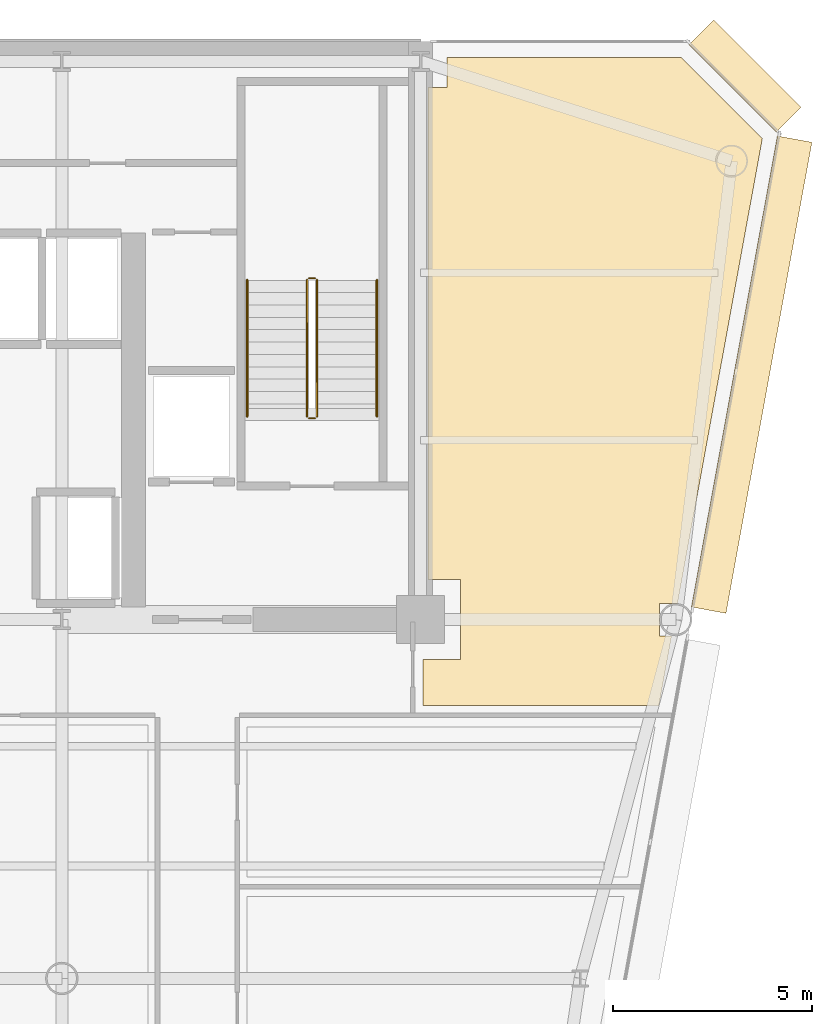
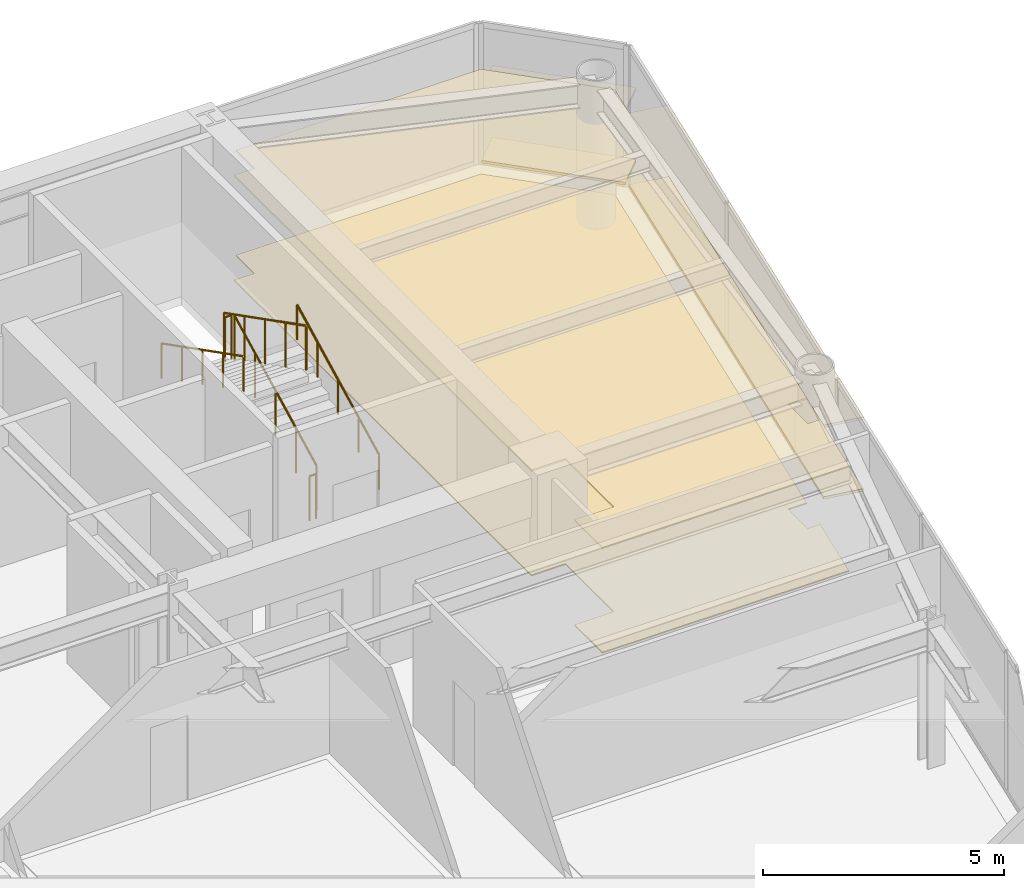
# One storey, part 17 of 17: 6 coverings, 6 railings.
"""IFC4 building model written with IfcOpenShell, lengths in metres."""

from ifc_helpers import new_model, si_unit, direction, frame, origin, origin_2d, place, context, subcontext, project, spatial, polyline, rectangle, circle, outline, extrude, source, transform, mapped, material, layer, layer_set, type_object, element, save


model = new_model("IFC4")

# Units and contexts
model_context = context("Model", 3, precision=1e-05, world=origin(), true_north=direction((0.0, 1.0)))
body_context = subcontext(model_context, "Body", "Model", "MODEL_VIEW")
ifc_project = project(units=[si_unit("LENGTHUNIT", "METRE"), si_unit("AREAUNIT", "SQUARE_METRE"), si_unit("VOLUMEUNIT", "CUBIC_METRE"), si_unit("PLANEANGLEUNIT", "RADIAN"), si_unit("MASSUNIT", "GRAM", prefix="KILO")], contexts=[model_context])

# Site, building, storey
site_placement = place(None, origin())
site = spatial("IfcSite", under=ifc_project, at=site_placement, CompositionType="ELEMENT")
building_placement = place(site_placement, origin())
building = spatial("IfcBuilding", under=site, at=building_placement, Name="Vaeldorn Concourse Tower", CompositionType="ELEMENT")
storey_placement = place(building_placement, frame((0.0, 0.0, 169.0)))
storey = spatial("IfcBuildingStorey", under=building, at=storey_placement, Name="L43", CompositionType="ELEMENT", Elevation=169.0)

# Coverings
ifc_material_1 = material(Name="Acoustic Mineral Fibre Board", Category="gypsum")
ifc_layer_1 = layer(ifc_material_1, 0.0400390625)
ifc_layer_set_1 = layer_set([ifc_layer_1], Name="Acoustic Mineral Fibre Board")
covering_type_1 = type_object("IfcCoveringType", Name="COV-CEIL-ACOUSTIC", PredefinedType="CEILING", material=ifc_layer_set_1)
covering_1_placement = place(storey_placement, frame((0.0, 0.0, 2.64990234375)))
element("IfcCovering", 1, at=covering_1_placement, inside=storey, type_object=covering_type_1, Name="Suspended Acoustic Ceiling L43-4", PredefinedType="CEILING", context=body_context, shape_type="SweptSolid", body=[
    extrude(outline(polyline([(54.179931640625, 49.840087890625), (54.659912109375, 49.840087890625), (54.659912109375, 50.60009765625), (60.5341796875, 50.60009765625), (62.56884765625, 48.5654296875), (60.517578125, 37.320068359375), (60.517578125, 37.320068359375), (60.442138671875, 36.906494140625), (59.993408203125, 36.906494140625), (59.993408203125, 36.093505859375), (60.293701171875, 36.093505859375), (59.97412109375, 34.340087890625), (54.06005859375, 34.340087890625), (54.06005859375, 35.5), (55.0, 35.5), (55.0, 37.5), (54.179931640625, 37.5), (54.179931640625, 49.840087890625)])), origin(), (0.0, 0.0, 1.0), 0.0400390625),
])
ifc_material_2 = material(Name="Honed Limestone Terrazzo Flooring", Category="masonry")
ifc_layer_2 = layer(ifc_material_2, 0.0400390625)
ifc_layer_set_2 = layer_set([ifc_layer_2], Name="Honed Limestone Terrazzo Flooring")
covering_type_2 = type_object("IfcCoveringType", Name="COV-FLOOR-STONE", PredefinedType="FLOORING", material=ifc_layer_set_2)
covering_2_placement = place(storey_placement, origin())
element("IfcCovering", 2, at=covering_2_placement, inside=storey, type_object=covering_type_2, Name="Floor Finish Covering L43-4", PredefinedType="FLOORING", context=body_context, shape_type="SweptSolid", body=[
    extrude(outline(polyline([(54.179931640625, 49.840087890625), (54.659912109375, 49.840087890625), (54.659912109375, 50.60009765625), (60.5341796875, 50.60009765625), (62.56884765625, 48.5654296875), (60.517578125, 37.320068359375), (60.517578125, 37.320068359375), (60.442138671875, 36.906494140625), (59.993408203125, 36.906494140625), (59.993408203125, 36.093505859375), (60.293701171875, 36.093505859375), (59.97412109375, 34.340087890625), (54.06005859375, 34.340087890625), (54.06005859375, 35.5), (55.0, 35.5), (55.0, 37.5), (54.179931640625, 37.5), (54.179931640625, 49.840087890625)])), origin(), (0.0, 0.0, 1.0), 0.030029296875),
])

# Railings
ifc_material_3 = material(Name="Anodised Bronze Aluminium", Category="aluminium")
railing_type_1 = type_object("IfcRailingType", Name="RL-STAIR-GUARD", PredefinedType="GUARDRAIL", material=ifc_material_3)
railing_1_placement = place(storey_placement, frame((51.39990234375, 41.60009765625, 0.158447265625)))
element("IfcRailing", 3, at=railing_1_placement, inside=storey, type_object=railing_type_1, Name="L43 ST-2 stair guard 1", PredefinedType="GUARDRAIL", context=body_context, shape_type="SweptSolid", body=[
    extrude(circle(Radius=0.02392578125, at=origin_2d()), frame((0.0, 0.0, 1.1259765625), z_axis=(0.0, 0.890581635807, 0.454823427236), x_axis=(-1.0, 0.0, 0.0)), (0.0, 0.0, 1.0), 3.828857421875),
    extrude(circle(Radius=0.02099609375, at=origin_2d()), origin(), (0.0, 0.0, 1.0), 1.101806640625),
    extrude(circle(Radius=0.02099609375, at=origin_2d()), frame((0.0, 0.8525390625, 0.435302734375)), (0.0, 0.0, 1.0), 1.101806640625),
    extrude(circle(Radius=0.02099609375, at=origin_2d()), frame((0.0, 1.705078125, 0.87060546875)), (0.0, 0.0, 1.0), 1.101806640625),
    extrude(circle(Radius=0.02099609375, at=origin_2d()), frame((0.0, 2.557373046875, 1.30615234375)), (0.0, 0.0, 1.0), 1.101806640625),
    extrude(circle(Radius=0.02099609375, at=origin_2d()), frame((0.0, 3.409912109375, 1.741455078125)), (0.0, 0.0, 1.0), 1.101806640625),
])
railing_2_placement = place(storey_placement, frame((51.35009765625, 45.06005859375, 1.89990234375)))
element("IfcRailing", 4, at=railing_2_placement, inside=storey, type_object=railing_type_1, Name="L43 ST-2 stair guard 2", PredefinedType="GUARDRAIL", context=body_context, shape_type="SweptSolid", body=[
    extrude(circle(Radius=0.02392578125, at=origin_2d()), frame((0.0, 0.0, 1.1259765625), z_axis=(-1.0, 0.0, 0.0), x_axis=(0.0, -1.0, 0.0)), (0.0, 0.0, 1.0), 0.150146484375),
    extrude(circle(Radius=0.02099609375, at=origin_2d()), origin(), (0.0, 0.0, 1.0), 1.101806640625),
    extrude(circle(Radius=0.02099609375, at=origin_2d()), frame((-0.150146484375, 0.0, 0.0)), (0.0, 0.0, 1.0), 1.101806640625),
])
railing_3_placement = place(storey_placement, frame((51.14990234375, 45.010009765625, 2.058349609375)))
element("IfcRailing", 5, at=railing_3_placement, inside=storey, type_object=railing_type_1, Name="L43 ST-2 stair guard 3", PredefinedType="GUARDRAIL", context=body_context, shape_type="SweptSolid", body=[
    extrude(circle(Radius=0.02392578125, at=origin_2d()), frame((0.0, 0.0, 1.1259765625), z_axis=(0.0, -0.890555807335, 0.454873997962), x_axis=(1.0, 0.0, 0.0)), (0.0, 0.0, 1.0), 3.828857421875),
    extrude(circle(Radius=0.02099609375, at=origin_2d()), origin(), (0.0, 0.0, 1.0), 1.101806640625),
    extrude(circle(Radius=0.02099609375, at=origin_2d()), frame((0.0, -0.8525390625, 0.435546875)), (0.0, 0.0, 1.0), 1.101806640625),
    extrude(circle(Radius=0.02099609375, at=origin_2d()), frame((0.0, -1.705078125, 0.870849609375)), (0.0, 0.0, 1.0), 1.101806640625),
    extrude(circle(Radius=0.02099609375, at=origin_2d()), frame((0.0, -2.557373046875, 1.30615234375)), (0.0, 0.0, 1.0), 1.101806640625),
    extrude(circle(Radius=0.02099609375, at=origin_2d()), frame((0.0, -3.409912109375, 1.74169921875)), (0.0, 0.0, 1.0), 1.101806640625),
])
railing_4_placement = place(storey_placement, frame((51.35009765625, 41.550048828125, 0.0)))
element("IfcRailing", 6, at=railing_4_placement, inside=storey, type_object=railing_type_1, Name="L43 ST-2 stair guard 4", PredefinedType="GUARDRAIL", context=body_context, shape_type="SweptSolid", body=[
    extrude(circle(Radius=0.02392578125, at=origin_2d()), frame((0.0, 0.0, 1.1259765625), z_axis=(-1.0, 0.0, 0.0), x_axis=(0.0, -1.0, 0.0)), (0.0, 0.0, 1.0), 0.150146484375),
    extrude(circle(Radius=0.02099609375, at=origin_2d()), origin(), (0.0, 0.0, 1.0), 1.101806640625),
    extrude(circle(Radius=0.02099609375, at=origin_2d()), frame((-0.150146484375, 0.0, 0.0)), (0.0, 0.0, 1.0), 1.101806640625),
])
railing_type_2 = type_object("IfcRailingType", Name="RL-STAIR-HANDRAIL", PredefinedType="HANDRAIL", material=ifc_material_3)
railing_5_placement = place(storey_placement, frame((52.89990234375, 41.60009765625, 0.158447265625)))
element("IfcRailing", 7, at=railing_5_placement, inside=storey, type_object=railing_type_2, Name="L43 ST-2 stair handrail 1", PredefinedType="HANDRAIL", context=body_context, shape_type="SweptSolid", body=[
    extrude(circle(Radius=0.02392578125, at=origin_2d()), frame((0.0, 0.0, 0.8759765625), z_axis=(0.0, 0.890581635807, 0.454823427236), x_axis=(-1.0, 0.0, 0.0)), (0.0, 0.0, 1.0), 3.828857421875),
    extrude(circle(Radius=0.02099609375, at=origin_2d()), origin(), (0.0, 0.0, 1.0), 0.851806640625),
    extrude(circle(Radius=0.02099609375, at=origin_2d()), frame((0.0, 0.8525390625, 0.435302734375)), (0.0, 0.0, 1.0), 0.851806640625),
    extrude(circle(Radius=0.02099609375, at=origin_2d()), frame((0.0, 1.705078125, 0.87060546875)), (0.0, 0.0, 1.0), 0.851806640625),
    extrude(circle(Radius=0.02099609375, at=origin_2d()), frame((0.0, 2.557373046875, 1.30615234375)), (0.0, 0.0, 1.0), 0.851806640625),
    extrude(circle(Radius=0.02099609375, at=origin_2d()), frame((0.0, 3.409912109375, 1.741455078125)), (0.0, 0.0, 1.0), 0.851806640625),
])
railing_6_placement = place(storey_placement, frame((49.64990234375, 45.010009765625, 2.058349609375)))
element("IfcRailing", 8, at=railing_6_placement, inside=storey, type_object=railing_type_2, Name="L43 ST-2 stair handrail 2", PredefinedType="HANDRAIL", context=body_context, shape_type="SweptSolid", body=[
    extrude(circle(Radius=0.02392578125, at=origin_2d()), frame((0.0, 0.0, 0.8759765625), z_axis=(0.0, -0.890555807335, 0.454873997962), x_axis=(1.0, 0.0, 0.0)), (0.0, 0.0, 1.0), 3.828857421875),
    extrude(circle(Radius=0.02099609375, at=origin_2d()), origin(), (0.0, 0.0, 1.0), 0.851806640625),
    extrude(circle(Radius=0.02099609375, at=origin_2d()), frame((0.0, -0.8525390625, 0.435546875)), (0.0, 0.0, 1.0), 0.851806640625),
    extrude(circle(Radius=0.02099609375, at=origin_2d()), frame((0.0, -1.705078125, 0.870849609375)), (0.0, 0.0, 1.0), 0.851806640625),
    extrude(circle(Radius=0.02099609375, at=origin_2d()), frame((0.0, -2.557373046875, 1.30615234375)), (0.0, 0.0, 1.0), 0.851806640625),
    extrude(circle(Radius=0.02099609375, at=origin_2d()), frame((0.0, -3.409912109375, 1.74169921875)), (0.0, 0.0, 1.0), 0.851806640625),
])

# Coverings
ifc_layer_3 = layer(ifc_material_3, 0.06494140625)
ifc_layer_set_3 = layer_set([ifc_layer_3], Name="Anodised Bronze Aluminium")
covering_type_3 = type_object("IfcCoveringType", Name="SD-BRONZE-SUNSHADE", PredefinedType="USERDEFINED", material=ifc_layer_set_3)
shared_shape_1 = source(origin(), body_context, "Body", "SweptSolid", [
    extrude(rectangle(XDim=3.0927734375, YDim=0.8798828125, at=origin_2d()), origin(), (0.0, 0.0, 1.0), 0.06494140625),
])
for number, where, z_axis, x_axis, name in (
    (9, (62.1328125, 50.1328125, 0.047607421875), (0.0, 0.0, 1.0), (-0.707106781187, 0.707106781187, 0.0), "Horizontal Bronze Sunshade L43-E08.1.1"),
    (10, (62.1328125, 50.1328125, 1.867431640625), (0.0, 0.0, 1.0), (-0.707106781187, 0.707106781187, 0.0), "Horizontal Bronze Sunshade L43-E08.1.2"),
):
    element("IfcCovering", number, at=place(storey_placement, frame(where, z_axis=z_axis, x_axis=x_axis)), inside=storey, type_object=covering_type_3, Name=name, ObjectType="SUNSHADE", PredefinedType="USERDEFINED", context=body_context, shape_type="MappedRepresentation", body=[
        mapped(shared_shape_1, transform((0.0, 0.0, 0.0), scale=1.0)),
    ])
shared_shape_2 = source(origin(), body_context, "Body", "SweptSolid", [
    extrude(rectangle(XDim=12.0078125, YDim=0.8798828125, at=origin_2d()), origin(), (0.0, 0.0, 1.0), 0.06494140625),
])
for number, where, z_axis, x_axis, name in (
    (11, (62.3017578125, 42.64306640625, 0.047607421875), (0.0, 0.0, 1.0), (0.179454713012, 0.983766235433, 0.0), "Horizontal Bronze Sunshade L43-E07.2.1"),
    (12, (62.3017578125, 42.64306640625, 1.867431640625), (0.0, 0.0, 1.0), (0.179454713012, 0.983766235433, 0.0), "Horizontal Bronze Sunshade L43-E07.2.2"),
):
    element("IfcCovering", number, at=place(storey_placement, frame(where, z_axis=z_axis, x_axis=x_axis)), inside=storey, type_object=covering_type_3, Name=name, ObjectType="SUNSHADE", PredefinedType="USERDEFINED", context=body_context, shape_type="MappedRepresentation", body=[
        mapped(shared_shape_2, transform((0.0, 0.0, 0.0), scale=1.0)),
    ])

save(model, "model.ifc")
